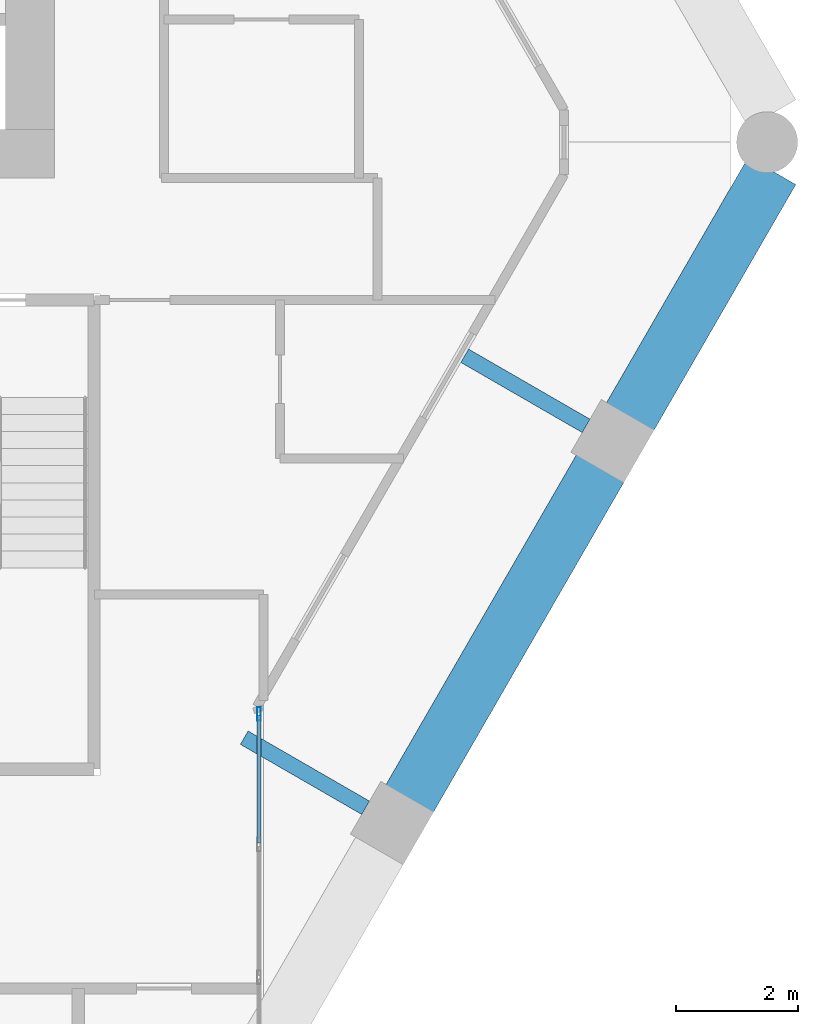
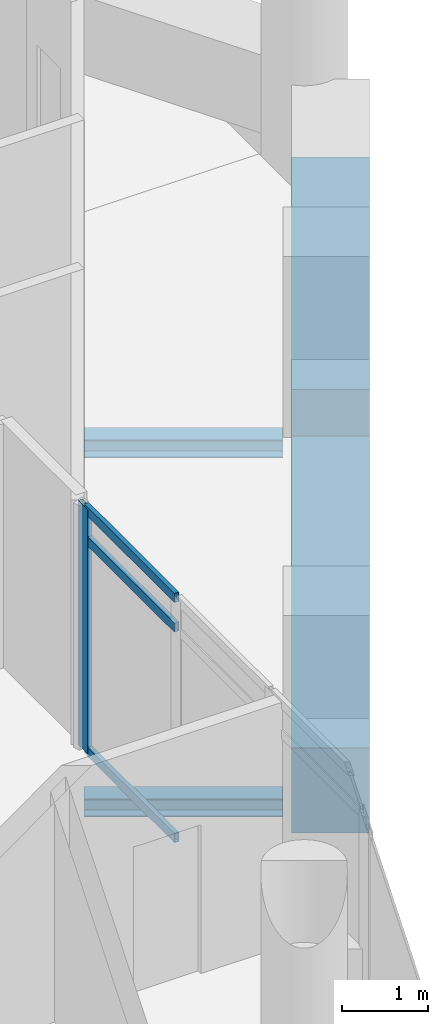
# One storey, part 11 of 29: 4 beams, 4 members, 1 element without a shape of its own.
"""IFC4 building model written with IfcOpenShell, lengths in metres."""

from ifc_helpers import new_model, si_unit, direction, frame, origin, origin_2d, place, context, subcontext, project, spatial, rectangle, hollow_rectangle, i_section, extrude, material, material_profile, profile_set, type_object, element, aggregate, save


model = new_model("IFC4")

# Units and contexts
model_context = context("Model", 3, precision=1e-05, world=origin(), true_north=direction((0.0, 1.0)))
body_context = subcontext(model_context, "Body", "Model", "MODEL_VIEW")
ifc_project = project(units=[si_unit("LENGTHUNIT", "METRE"), si_unit("AREAUNIT", "SQUARE_METRE"), si_unit("VOLUMEUNIT", "CUBIC_METRE"), si_unit("PLANEANGLEUNIT", "RADIAN"), si_unit("MASSUNIT", "GRAM", prefix="KILO")], contexts=[model_context])

# Site, building, storey
site_placement = place(None, origin())
site = spatial("IfcSite", under=ifc_project, at=site_placement, CompositionType="ELEMENT")
building_placement = place(site_placement, origin())
building = spatial("IfcBuilding", under=site, at=building_placement, Name="Ostrander Bayou Hotel Tower", CompositionType="ELEMENT")
storey_placement = place(building_placement, frame((0.0, 0.0, 202.0)))
storey = spatial("IfcBuildingStorey", under=building, at=storey_placement, Name="L50", CompositionType="ELEMENT", Elevation=202.0)

# Curtain wall, members
ifc_material_1 = material(Name="Aluminium and clear glass", Category="aluminium")
curtain_wall_type = type_object("IfcCurtainWallType", Name="CW-BAR glazed wall", PredefinedType="NOTDEFINED", material=ifc_material_1)
curtain_wall_placement = place(storey_placement, origin())
curtain_wall = element("IfcCurtainWall", 1, at=curtain_wall_placement, inside=storey, type_object=curtain_wall_type, Name="CW-BAR L50:SB4S:W", PredefinedType="NOTDEFINED")
ifc_material_2 = material(Name="Aluminium", Category="aluminium")
ifc_material_profile_1 = material_profile(ifc_material_2, hollow_rectangle(XDim=0.06005859375, YDim=0.219970703125, WallThickness=0.00390625, at=origin_2d()))
ifc_profile_set_1 = profile_set([ifc_material_profile_1], Name="Aluminium")
member_type_1 = type_object("IfcMemberType", Name="CW-BR mullion 60 x 220 mm", PredefinedType="MULLION", material=ifc_profile_set_1)
member_1_placement = place(storey_placement, frame((11.857177734375, -10.49267578125, 0.0), z_axis=(0.0, 0.0, 1.0), x_axis=(1.0, 0.0, 0.0)))
member_1 = element("IfcMember", 2, at=member_1_placement, type_object=member_type_1, Name="CW-BAR mullion 1", PredefinedType="MULLION", context=body_context, shape_type="SweptSolid", body=[
    extrude(hollow_rectangle(XDim=0.06005859375, YDim=0.219970703125, WallThickness=0.00390625, at=origin_2d()), origin(), (0.0, 0.0, 1.0), 3.449951171875),
])
ifc_material_3 = material(Name="Aluminium", Category="aluminium")
ifc_material_profile_2 = material_profile(ifc_material_3, hollow_rectangle(XDim=0.06005859375, YDim=0.1298828125, WallThickness=0.00390625, at=origin_2d()))
ifc_profile_set_2 = profile_set([ifc_material_profile_2], Name="Aluminium")
member_type_2 = type_object("IfcMemberType", Name="CW-BR transom 60 x 130 mm", PredefinedType="USERDEFINED", material=ifc_profile_set_2)
member_2_placement = place(storey_placement, frame((11.857177734375, -10.522705078125, 0.030029296875), z_axis=(0.0, -1.0, 0.0), x_axis=(1.0, 0.0, 0.0)))
member_2 = element("IfcMember", 3, at=member_2_placement, type_object=member_type_2, Name="CW-BAR transom 1.1", ObjectType="TRANSOM", PredefinedType="USERDEFINED", context=body_context, shape_type="SweptSolid", body=[
    extrude(hollow_rectangle(XDim=0.06005859375, YDim=0.1298828125, WallThickness=0.00390625, at=origin_2d()), origin(), (0.0, 0.0, 1.0), 2.086181640625),
])
member_3_placement = place(storey_placement, frame((11.857177734375, -10.522705078125, 3.0), z_axis=(0.0, -1.0, 0.0), x_axis=(1.0, 0.0, 0.0)))
member_3 = element("IfcMember", 4, at=member_3_placement, type_object=member_type_2, Name="CW-BAR transom 1.2", ObjectType="TRANSOM", PredefinedType="USERDEFINED", context=body_context, shape_type="SweptSolid", body=[
    extrude(hollow_rectangle(XDim=0.06005859375, YDim=0.1298828125, WallThickness=0.00390625, at=origin_2d()), origin(), (0.0, 0.0, 1.0), 2.086181640625),
])
member_4_placement = place(storey_placement, frame((11.857177734375, -10.522705078125, 3.419921875), z_axis=(0.0, -1.0, 0.0), x_axis=(1.0, 0.0, 0.0)))
member_4 = element("IfcMember", 5, at=member_4_placement, type_object=member_type_2, Name="CW-BAR transom 1.3", ObjectType="TRANSOM", PredefinedType="USERDEFINED", context=body_context, shape_type="SweptSolid", body=[
    extrude(hollow_rectangle(XDim=0.06005859375, YDim=0.1298828125, WallThickness=0.00390625, at=origin_2d()), origin(), (0.0, 0.0, 1.0), 2.086181640625),
])
aggregate(curtain_wall, [member_1, member_2, member_3, member_4])

# Beams
ifc_material_4 = material(Name="Steel ASTM A992", Category="steel")
ifc_material_profile_3 = material_profile(ifc_material_4, i_section(OverallWidth=0.25390625, OverallDepth=0.25341796875, WebThickness=0.008544921875, FlangeThickness=0.01416015625, at=origin_2d()))
ifc_profile_set_3 = profile_set([ifc_material_profile_3], Name="Steel ASTM A992")
beam_type_1 = type_object("IfcBeamType", Name="LB2 loggia bracket W10x49", PredefinedType="BEAM", material=ifc_profile_set_3)
beam_1_placement = place(storey_placement, frame((13.606201171875, -12.033203125, -0.4267578125), z_axis=(-0.86602648383, 0.499998129301, 0.0), x_axis=(-0.499998129301, -0.86602648383, 0.0)))
element("IfcBeam", 6, at=beam_1_placement, inside=storey, type_object=beam_type_1, Name="LB2 L50 SE1", PredefinedType="BEAM", context=body_context, shape_type="SweptSolid", body=[
    extrude(i_section(OverallWidth=0.25390625, OverallDepth=0.25341796875, WebThickness=0.008544921875, FlangeThickness=0.01416015625, at=origin_2d()), origin(), (0.0, 0.0, 1.0), 2.2998046875),
])
beam_2_placement = place(storey_placement, frame((17.224365234375, -5.7666015625, -0.4267578125), z_axis=(-0.866053019151, 0.499952165731, 0.0), x_axis=(-0.499952165731, -0.866053019151, 0.0)))
element("IfcBeam", 7, at=beam_2_placement, inside=storey, type_object=beam_type_1, Name="LB2 L50 SE2", PredefinedType="BEAM", context=body_context, shape_type="SweptSolid", body=[
    extrude(i_section(OverallWidth=0.25390625, OverallDepth=0.25341796875, WebThickness=0.008544921875, FlangeThickness=0.01416015625, at=origin_2d()), origin(), (0.0, 0.0, 1.0), 2.300048828125),
])
ifc_material_5 = material(Name="Concrete f'c 60 MPa", Category="concrete")
ifc_material_profile_4 = material_profile(ifc_material_5, rectangle(XDim=0.89990234375, YDim=1.199951171875, at=origin_2d()))
ifc_profile_set_4 = profile_set([ifc_material_profile_4], Name="Concrete f'c 60 MPa")
beam_type_2 = type_object("IfcBeamType", Name="SP3 spandrel beam 900 x 1200 mm f'c 60 MPa", PredefinedType="SPANDREL", material=ifc_profile_set_4)
beam_3_placement = place(storey_placement, frame((14.3173828125, -11.9013671875, -0.60009765625), z_axis=(0.500013351051, 0.866017695414, 0.0), x_axis=(-0.866017695414, 0.500013351051, 0.0)))
element("IfcBeam", 8, at=beam_3_placement, inside=storey, type_object=beam_type_2, Name="SP3 L50 SE-2", PredefinedType="SPANDREL", context=body_context, shape_type="SweptSolid", body=[
    extrude(rectangle(XDim=0.89990234375, YDim=1.199951171875, at=origin_2d()), origin(), (0.0, 0.0, 1.0), 6.296142578125),
])
beam_4_placement = place(storey_placement, frame((17.935546875, -5.634521484375, -0.60009765625), z_axis=(0.500028081597, 0.86600919026, 0.0), x_axis=(-0.86600919026, 0.500028081597, 0.0)))
element("IfcBeam", 9, at=beam_4_placement, inside=storey, type_object=beam_type_2, Name="SP3 L50 SE-3", PredefinedType="SPANDREL", context=body_context, shape_type="SweptSolid", body=[
    extrude(rectangle(XDim=0.89990234375, YDim=1.199951171875, at=origin_2d()), origin(), (0.0, 0.0, 1.0), 4.678955078125),
])

save(model, "model.ifc")
